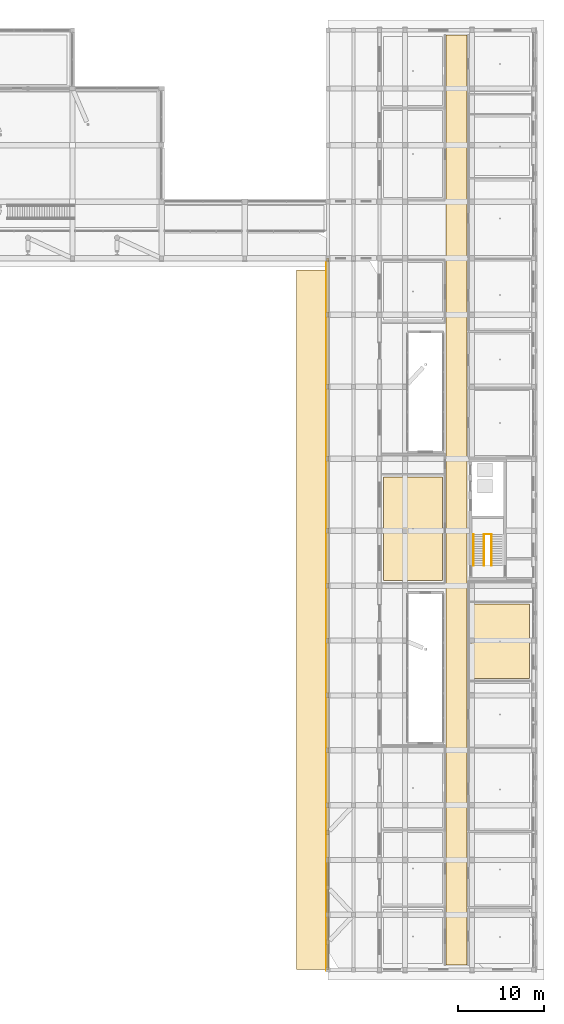
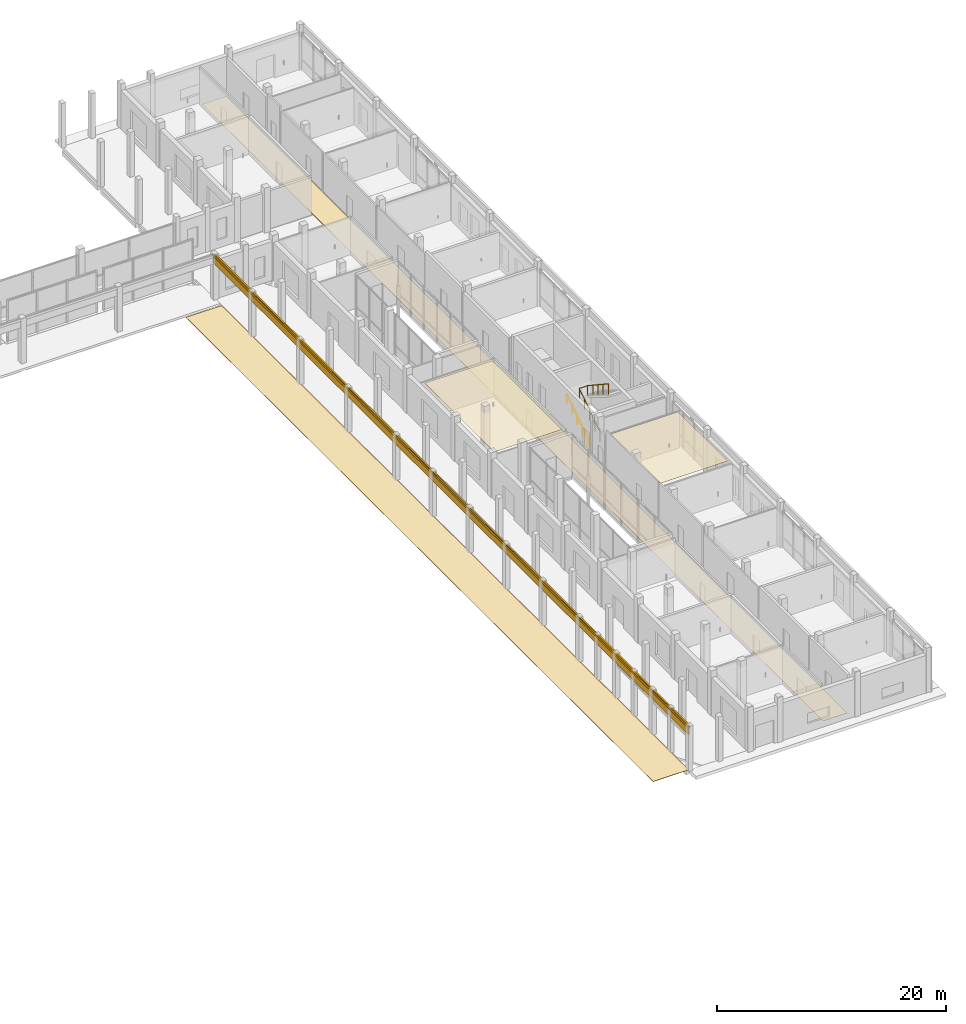
# One storey, part 84 of 88: 6 coverings, 2 railings.
"""IFC4 building model written with IfcOpenShell, lengths in metres."""

from ifc_helpers import new_model, si_unit, derived_unit, direction, frame, origin, origin_2d, place, context, subcontext, project, spatial, polyline, rectangle, circle, outline, extrude, material, layer, layer_set, type_object, element, save


model = new_model("IFC4")

# Units and contexts
model_context = context("Model", 3, precision=1e-05, world=origin(), true_north=direction((0.0, 1.0)))
body_context = subcontext(model_context, "Body", "Model", "MODEL_VIEW")
ifc_project = project(units=[si_unit("LENGTHUNIT", "METRE"), si_unit("AREAUNIT", "SQUARE_METRE"), si_unit("VOLUMEUNIT", "CUBIC_METRE"), si_unit("PLANEANGLEUNIT", "RADIAN"), si_unit("MASSUNIT", "GRAM", prefix="KILO"), derived_unit("THERMALTRANSMITTANCEUNIT", [(si_unit("POWERUNIT", "WATT"), 1), (si_unit("LENGTHUNIT", "METRE"), -2), (si_unit("THERMODYNAMICTEMPERATUREUNIT", "KELVIN"), -1)])], contexts=[model_context])

# Site, building, storey
site_placement = place(None, origin())
site = spatial("IfcSite", under=ifc_project, at=site_placement, CompositionType="ELEMENT")
building_placement = place(site_placement, origin())
building = spatial("IfcBuilding", under=site, at=building_placement, Name="Braskholm Square Health Centre", CompositionType="ELEMENT")
storey_placement = place(building_placement, origin())
storey = spatial("IfcBuildingStorey", under=building, at=storey_placement, Name="L01", CompositionType="ELEMENT", Elevation=0.0)

# Coverings
ifc_material_1 = material(Name="Fire-rated gypsum board barrier")
ifc_layer_1 = layer(ifc_material_1, 0.02490234375)
ifc_layer_set_1 = layer_set([ifc_layer_1], Name="Fire-rated gypsum board barrier")
covering_type_1 = type_object("IfcCoveringType", Name="AcousticClinicalCeilingTile", PredefinedType="CEILING", material=ifc_layer_set_1)
covering_1_placement = place(storey_placement, frame((0.0, 0.0, 4.06494140625)))
element("IfcCovering", 1, at=covering_1_placement, inside=storey, type_object=covering_type_1, Name="Acoustic ceiling L01-169", PredefinedType="CEILING", context=body_context, shape_type="SweptSolid", body=[
    extrude(outline(polyline([(156.5, 38.179931640625), (163.294921875, 38.179931640625), (163.294921875, 46.85009765625), (156.5, 46.85009765625), (156.5, 38.179931640625)])), origin(), (0.0, 0.0, 1.0), 0.025146484375),
])
covering_2_placement = place(storey_placement, frame((0.0, 0.0, 4.06494140625)))
element("IfcCovering", 2, at=covering_2_placement, inside=storey, type_object=covering_type_1, Name="Acoustic ceiling L01-182", PredefinedType="CEILING", context=body_context, shape_type="SweptSolid", body=[
    extrude(outline(polyline([(146.304931640625, 49.580078125), (153.14990234375, 49.580078125), (153.14990234375, 61.699951171875), (146.304931640625, 61.699951171875), (146.304931640625, 49.580078125)])), origin(), (0.0, 0.0, 1.0), 0.025146484375),
])

# Railing
ifc_material_2 = material(Name="Dark patinated chevron architectural bronze", Category="aluminium")
railing_type_1 = type_object("IfcRailingType", Name="BronzeChevronGuardrail1100", PredefinedType="GUARDRAIL", material=ifc_material_2)
railing_1_placement = place(storey_placement, frame((158.030029296875, 51.360107421875, 0.0)))
element("IfcRailing", 3, at=railing_1_placement, inside=storey, type_object=railing_type_1, Name="Stair ST-04 inner well guardrail L01", PredefinedType="GUARDRAIL", context=body_context, shape_type="SweptSolid", body=[
    extrude(circle(Radius=0.02392578125, at=origin_2d()), frame((0.0, 0.0, 1.076171875), z_axis=(0.0, 0.834865213223, 0.550454426587), x_axis=(-1.0, 0.0, 0.0)), (0.0, 0.0, 1.0), 4.35986328125),
    extrude(circle(Radius=0.02392578125, at=origin_2d()), frame((0.0, 3.639892578125, 3.47607421875), z_axis=(1.0, 0.0, 0.0), x_axis=(0.0, 1.0, 0.0)), (0.0, 0.0, 1.0), 0.840087890625),
    extrude(circle(Radius=0.02392578125, at=origin_2d()), frame((0.840087890625, 3.639892578125, 3.47607421875), z_axis=(0.0, -0.834839479206, 0.550493454965), x_axis=(1.0, 0.0, 0.0)), (0.0, 0.0, 1.0), 4.360107421875),
    extrude(circle(Radius=0.02099609375, at=origin_2d()), origin(), (0.0, 0.0, 1.0), 1.052001953125),
    extrude(circle(Radius=0.02099609375, at=origin_2d()), frame((0.0, 0.909912109375, 0.60009765625)), (0.0, 0.0, 1.0), 1.052001953125),
    extrude(circle(Radius=0.02099609375, at=origin_2d()), frame((0.0, 1.81982421875, 1.199951171875)), (0.0, 0.0, 1.0), 1.052001953125),
    extrude(circle(Radius=0.02099609375, at=origin_2d()), frame((0.0, 2.72998046875, 1.7998046875)), (0.0, 0.0, 1.0), 1.052001953125),
    extrude(circle(Radius=0.02099609375, at=origin_2d()), frame((0.0, 3.639892578125, 2.39990234375)), (0.0, 0.0, 1.0), 1.052001953125),
    extrude(circle(Radius=0.02099609375, at=origin_2d()), frame((0.840087890625, 3.639892578125, 2.39990234375)), (0.0, 0.0, 1.0), 1.052001953125),
    extrude(circle(Radius=0.02099609375, at=origin_2d()), frame((0.840087890625, 2.72998046875, 3.0)), (0.0, 0.0, 1.0), 1.052001953125),
    extrude(circle(Radius=0.02099609375, at=origin_2d()), frame((0.840087890625, 1.81982421875, 3.60009765625)), (0.0, 0.0, 1.0), 1.052001953125),
    extrude(circle(Radius=0.02099609375, at=origin_2d()), frame((0.840087890625, 0.909912109375, 4.199951171875)), (0.0, 0.0, 1.0), 1.052001953125),
    extrude(circle(Radius=0.02099609375, at=origin_2d()), frame((0.840087890625, 0.0, 4.800048828125)), (0.0, 0.0, 1.0), 1.052001953125),
])

# Coverings
ifc_layer_2 = layer(ifc_material_2, 0.070068359375)
ifc_layer_set_2 = layer_set([ifc_layer_2], Name="Dark patinated chevron architectural bronze")
covering_type_2 = type_object("IfcCoveringType", Name="BronzeZigguratFriezeCladding", PredefinedType="CLADDING", material=ifc_layer_set_2)
covering_3_placement = place(storey_placement, frame((139.659912109375, 45.699951171875, 4.5498046875), z_axis=(0.0, 0.0, 1.0), x_axis=(1.0, 0.0, 0.0)))
element("IfcCovering", 4, at=covering_3_placement, inside=storey, type_object=covering_type_2, Name="Classical Art Deco architectural trim 0884", PredefinedType="CLADDING", context=body_context, shape_type="SweptSolid", body=[
    extrude(rectangle(XDim=0.10009765625, YDim=83.199951171875, at=origin_2d()), origin(), (0.0, 0.0, 1.0), 0.219970703125),
])
ifc_material_3 = material(Name="Intensive botanical sedum and native prairie garden bed")
ifc_layer_3 = layer(ifc_material_3, 0.030029296875)
ifc_layer_set_3 = layer_set([ifc_layer_3], Name="Intensive botanical sedum and native prairie garden bed")
covering_type_3 = type_object("IfcCoveringType", Name="GreenValleyGardenPromenade", PredefinedType="FLOORING", material=ifc_layer_set_3)
covering_4_placement = place(storey_placement, frame((0.0, 0.0, -0.02001953125)))
element("IfcCovering", 5, at=covering_4_placement, inside=storey, type_object=covering_type_3, Name="Green Valley landscaped prairie garden border 02", PredefinedType="FLOORING", context=body_context, shape_type="SweptSolid", body=[
    extrude(outline(polyline([(136.14990234375, 4.199951171875), (139.75, 4.199951171875), (139.75, 85.85009765625), (136.14990234375, 85.85009765625), (136.14990234375, 4.199951171875)])), origin(), (0.0, 0.0, 1.0), 0.030029296875),
])
ifc_material_4 = material(Name="Mankato-Kasota dolomitic limestone ashlar", Category="masonry")
ifc_layer_4 = layer(ifc_material_4, 0.090087890625)
ifc_layer_set_4 = layer_set([ifc_layer_4], Name="Mankato-Kasota dolomitic limestone ashlar")
covering_type_4 = type_object("IfcCoveringType", Name="KasotaAshlarBaseCladding", PredefinedType="CLADDING", material=ifc_layer_set_4)
covering_5_placement = place(storey_placement, frame((139.780029296875, 45.699951171875, 3.77490234375), z_axis=(0.0, 0.0, 1.0), x_axis=(1.0, 0.0, 0.0)))
element("IfcCovering", 6, at=covering_5_placement, inside=storey, type_object=covering_type_4, Name="Classical Art Deco architectural trim 0883", PredefinedType="CLADDING", context=body_context, shape_type="SweptSolid", body=[
    extrude(rectangle(XDim=0.219970703125, YDim=83.0, at=origin_2d()), origin(), (0.0, 0.0, 1.0), 0.949951171875),
])
ifc_material_5 = material(Name="Polished geometric terrazzo flooring", Category="masonry")
ifc_layer_5 = layer(ifc_material_5, 0.02001953125)
ifc_layer_set_5 = layer_set([ifc_layer_5], Name="Polished geometric terrazzo flooring")
covering_type_5 = type_object("IfcCoveringType", Name="PolishedTerrazzoFloorFinish", PredefinedType="FLOORING", material=ifc_layer_set_5)
covering_6_placement = place(storey_placement, origin())
element("IfcCovering", 7, at=covering_6_placement, inside=storey, type_object=covering_type_5, Name="Polished terrazzo floor L01-164", PredefinedType="FLOORING", context=body_context, shape_type="SweptSolid", body=[
    extrude(outline(polyline([(153.60009765625, 4.75), (156.050048828125, 4.75), (156.050048828125, 113.25), (153.60009765625, 113.25), (153.60009765625, 4.75)])), origin(), (0.0, 0.0, 1.0), 0.02001953125),
])

# Railing
railing_type_2 = type_object("IfcRailingType", Name="StairTubularHandrail915", PredefinedType="HANDRAIL", material=ifc_material_2)
railing_2_placement = place(storey_placement, frame((156.800048828125, 51.360107421875, 0.0)))
element("IfcRailing", 8, at=railing_2_placement, inside=storey, type_object=railing_type_2, Name="Stair ST-04 wall handrail F1 L01", PredefinedType="HANDRAIL", context=body_context, shape_type="SweptSolid", body=[
    extrude(circle(Radius=0.02392578125, at=origin_2d()), frame((0.0, 0.0, 0.89111328125), z_axis=(0.0, 0.834865213223, 0.550454426587), x_axis=(-1.0, 0.0, 0.0)), (0.0, 0.0, 1.0), 4.35986328125),
    extrude(circle(Radius=0.02099609375, at=origin_2d()), origin(), (0.0, 0.0, 1.0), 0.866943359375),
    extrude(circle(Radius=0.02099609375, at=origin_2d()), frame((0.0, 0.909912109375, 0.60009765625)), (0.0, 0.0, 1.0), 0.866943359375),
    extrude(circle(Radius=0.02099609375, at=origin_2d()), frame((0.0, 1.81982421875, 1.199951171875)), (0.0, 0.0, 1.0), 0.866943359375),
    extrude(circle(Radius=0.02099609375, at=origin_2d()), frame((0.0, 2.72998046875, 1.7998046875)), (0.0, 0.0, 1.0), 0.866943359375),
    extrude(circle(Radius=0.02099609375, at=origin_2d()), frame((0.0, 3.639892578125, 2.39990234375)), (0.0, 0.0, 1.0), 0.866943359375),
])

save(model, "model.ifc")
